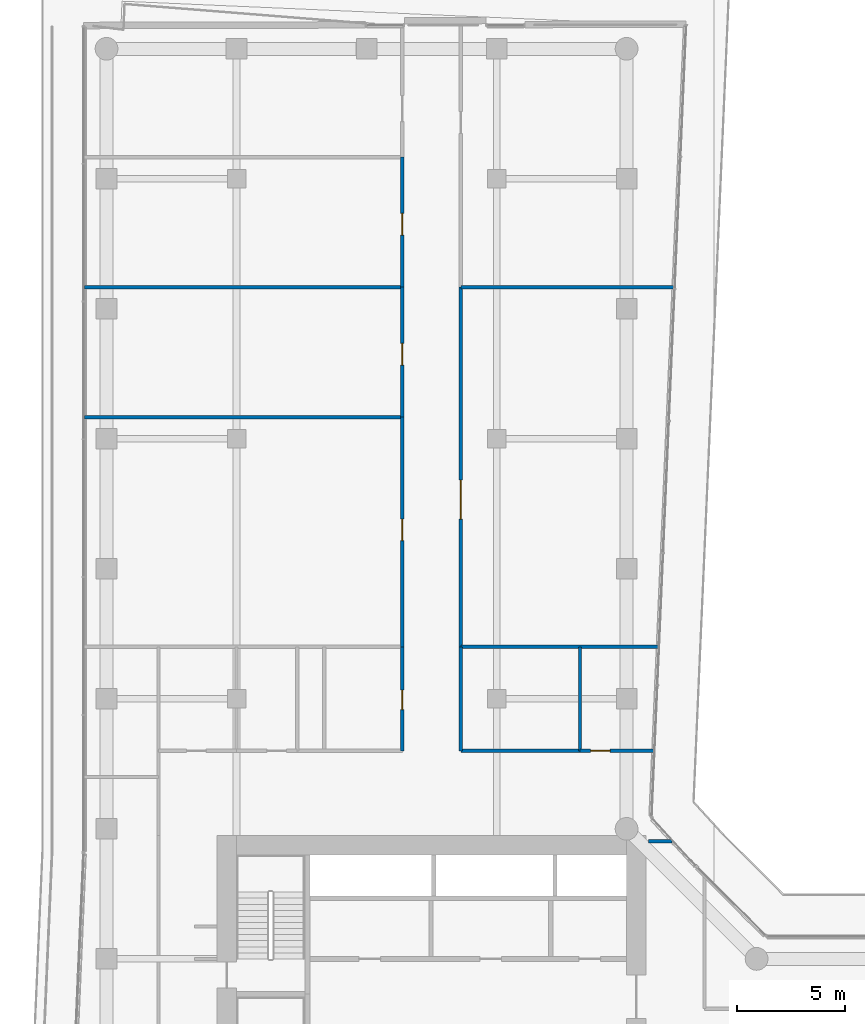
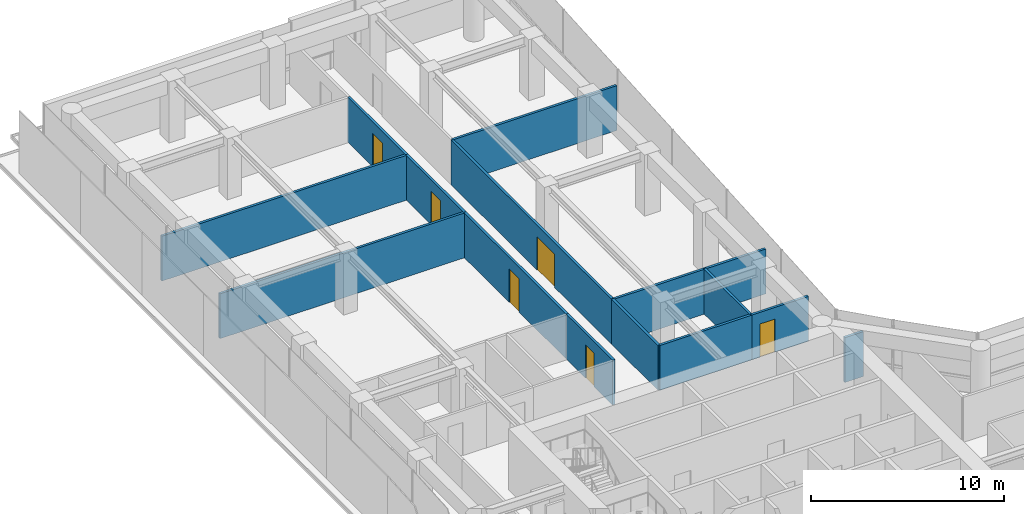
# One storey, part 25 of 29: 14 walls, 6 doors, 6 openings.
"""IFC4 building model written with IfcOpenShell, lengths in metres."""

import ifcopenshell
import ifcopenshell.guid

model = None  # the IFC model being written
_history = None  # IfcOwnerHistory: only IFC2X3 demands one
_inside = {}  # id of a spatial element -> (the spatial element, [elements in it])
_under = {}  # id of a project, library or spatial element -> (it, [spatial elements below it])
_declared = {}  # id of a project -> (the project, [libraries it declares])
_typed = {}  # id of a type object -> (the type object, [elements of that type])
_made_of = {}  # id of a material, layer set ... -> (it, [elements and type objects made of it])


def new_model(schema):
    """Start an empty IFC model of exactly this schema.

    Asked for "IFC4X3", IfcOpenShell would pick the latest addendum, in which some entities
    have other attributes; the version numbers below select the first issue.
    IFC2X3 requires an IfcOwnerHistory on every rooted entity: one is made here for all.
    """
    global model, _history
    if schema == "IFC4X3":
        model = ifcopenshell.file(schema_version=(4, 3, 0, 0))
    else:
        model = ifcopenshell.file(schema=schema)
    _inside.clear()
    _under.clear()
    _declared.clear()
    _typed.clear()
    _made_of.clear()
    _history = None
    if model.schema == "IFC2X3":
        org = make("IfcOrganization", Name="unknown")
        user = make(
            "IfcPersonAndOrganization",
            ThePerson=make("IfcPerson", FamilyName="unknown"),
            TheOrganization=org,
        )
        app = make(
            "IfcApplication",
            ApplicationDeveloper=org,
            Version="unknown",
            ApplicationFullName="unknown",
            ApplicationIdentifier="unknown",
        )
        _history = make(
            "IfcOwnerHistory",
            OwningUser=user,
            OwningApplication=app,
            ChangeAction="ADDED",
            CreationDate=0,
        )
    return model


def make(cls, **values):
    """One entity of the class cls with the attributes given. An attribute that is None is left unset."""
    return model.create_entity(
        cls, **{name: value for name, value in values.items() if value is not None}
    )


def rooted(cls, **values):
    """An entity with a GlobalId (a new one), such as an element, a storey or a relation."""
    return make(cls, GlobalId=ifcopenshell.guid.new(), OwnerHistory=_history, **values)


def si_unit(unit_type, name, prefix=None):
    """IfcSIUnit, for example si_unit("LENGTHUNIT", "METRE", prefix="MILLI")."""
    return make("IfcSIUnit", UnitType=unit_type, Prefix=prefix, Name=name)


def assignment(units):
    """IfcUnitAssignment: the units of a project."""
    return None if units is None else make("IfcUnitAssignment", Units=units)


def point(xyz):
    """IfcCartesianPoint."""
    return None if xyz is None else make("IfcCartesianPoint", Coordinates=xyz)


def direction(xyz):
    """IfcDirection."""
    return None if xyz is None else make("IfcDirection", DirectionRatios=xyz)


def frame(location, z_axis=None, x_axis=None):
    """IfcAxis2Placement3D, a coordinate frame: its origin and axes. An axis left out is left unset."""
    return make(
        "IfcAxis2Placement3D",
        Location=point(location),
        Axis=direction(z_axis),
        RefDirection=direction(x_axis),
    )


def frame_2d(location, x_axis=None):
    """IfcAxis2Placement2D, a coordinate frame in the plane: its origin and x axis."""
    return make(
        "IfcAxis2Placement2D", Location=point(location), RefDirection=direction(x_axis)
    )


def origin():
    """The frame at (0, 0, 0) with its axes left unset."""
    return frame((0.0, 0.0, 0.0))


def place(relative_to, where):
    """IfcLocalPlacement: puts the frame where relative to a parent placement (None: the world)."""
    return make(
        "IfcLocalPlacement", PlacementRelTo=relative_to, RelativePlacement=where
    )


def context(
    kind, dimensions, precision=None, world=None, true_north=None, identifier=None
):
    """IfcGeometricRepresentationContext, for example the 3D "Model" context."""
    return make(
        "IfcGeometricRepresentationContext",
        ContextIdentifier=identifier,
        ContextType=kind,
        CoordinateSpaceDimension=dimensions,
        Precision=precision,
        WorldCoordinateSystem=world,
        TrueNorth=true_north,
    )


def subcontext(parent, identifier, kind, view, scale=None):
    """IfcGeometricRepresentationSubContext, for example "Body" below "Model"."""
    return make(
        "IfcGeometricRepresentationSubContext",
        ContextIdentifier=identifier,
        ContextType=kind,
        ParentContext=parent,
        TargetScale=scale,
        TargetView=view,
    )


def project(units=None, contexts=None):
    """IfcProject with its units and contexts."""
    return rooted(
        "IfcProject",
        Name="project",
        RepresentationContexts=contexts,
        UnitsInContext=assignment(units),
    )


def spatial(cls, under=None, at=None, **own):
    """A site, building, storey or space (cls), placed at a placement, below another one or the project."""
    s = rooted(cls, ObjectPlacement=at, **own)
    if under is not None:
        _under.setdefault(under.id(), (under, []))[1].append(s)
    return s


def profile(cls, at=None, kind="AREA", **sizes):
    """A parametric profile (cls). Its sizes go by their IFC names, for example OverallWidth=200.0."""
    return make(cls, ProfileType=kind, Position=at, **sizes)


def rectangle(**sizes):
    """IfcRectangleProfileDef."""
    return profile("IfcRectangleProfileDef", **sizes)


def extrude(swept, where, along, depth):
    """IfcExtrudedAreaSolid: the profile swept, set in the frame where, extruded along a direction by depth."""
    return make(
        "IfcExtrudedAreaSolid",
        SweptArea=swept,
        Position=where,
        ExtrudedDirection=direction(along),
        Depth=depth,
    )


def shape(context_of_items, identifier, shape_type, items):
    """IfcShapeRepresentation: the items that make up one representation, for example the "Body"."""
    return make(
        "IfcShapeRepresentation",
        ContextOfItems=context_of_items,
        RepresentationIdentifier=identifier,
        RepresentationType=shape_type,
        Items=items,
    )


def material(Name=None, Category=None):
    """IfcMaterial."""
    return make("IfcMaterial", Name=Name, Category=Category)


def layer(
    of_material, thickness, ventilated=None, Name=None, Category=None, Priority=None
):
    """IfcMaterialLayer: one layer of a wall or slab, of a material (None: an air gap)."""
    return make(
        "IfcMaterialLayer",
        Material=of_material,
        LayerThickness=thickness,
        IsVentilated=ventilated,
        Name=Name,
        Category=Category,
        Priority=Priority,
    )


def layer_set(layers, Name=None):
    """IfcMaterialLayerSet."""
    return make("IfcMaterialLayerSet", MaterialLayers=layers, LayerSetName=Name)


def made_of(thing, what):
    """Note that an element or type object is made of a material, layer set ...; save() writes the relation."""
    if what is not None:
        _made_of.setdefault(what.id(), (what, []))[1].append(thing)
    return thing


def type_object(cls, material=None, **own):
    """A type object (cls), such as IfcWallType, which elements share."""
    return made_of(rooted(cls, **own), material)


def element(
    cls,
    number,
    at=None,
    inside=None,
    cuts=None,
    type_object=None,
    material=None,
    context=None,
    identifier="Body",
    shape_type=None,
    held_by="IfcProductDefinitionShape",
    body=None,
    shapes=None,
    **own,
):
    """One element of the class cls, such as IfcWall. Its Tag is "e" and its number.

    at: its placement. inside: the storey or other place that contains it. cuts: it is an
    opening in that element (IfcRelVoidsElement). A single representation is given by context,
    identifier, shape_type and body (its items); several are given by shapes. held_by: the class
    of the entity that holds the representations. save() writes the other relations.
    """
    e = rooted(cls, Tag="e%d" % number, ObjectPlacement=at, **own)
    if body is not None:
        shapes = [shape(context, identifier, shape_type, body)]
    if shapes is not None:
        e.Representation = make(held_by, Representations=shapes)
    if inside is not None:
        _inside.setdefault(inside.id(), (inside, []))[1].append(e)
    if cuts is not None:
        rooted(
            "IfcRelVoidsElement", RelatingBuildingElement=cuts, RelatedOpeningElement=e
        )
    if type_object is not None:
        _typed.setdefault(type_object.id(), (type_object, []))[1].append(e)
    return made_of(e, material)


def fill(opening, filler):
    """IfcRelFillsElement: the door or window that sits in an opening."""
    return rooted(
        "IfcRelFillsElement",
        RelatingOpeningElement=opening,
        RelatedBuildingElement=filler,
    )


def aggregate(whole, parts):
    """IfcRelAggregates: a whole, such as a stair, and the parts it consists of."""
    return rooted("IfcRelAggregates", RelatingObject=whole, RelatedObjects=parts)


def save(model, path):
    """Write the relations noted so far, then the file.

    IfcRelAggregates (storeys below a building ...), IfcRelContainedInSpatialStructure (elements
    in a storey), IfcRelDefinesByType, IfcRelAssociatesMaterial and IfcRelDeclares: one each for
    every whole, place, type object, material and project.
    """
    for whole, parts in _under.values():
        aggregate(whole, parts)
    for where, things in _inside.values():
        rooted(
            "IfcRelContainedInSpatialStructure",
            RelatedElements=things,
            RelatingStructure=where,
        )
    for kind, things in _typed.values():
        rooted("IfcRelDefinesByType", RelatedObjects=things, RelatingType=kind)
    for what, things in _made_of.values():
        rooted("IfcRelAssociatesMaterial", RelatedObjects=things, RelatingMaterial=what)
    for by, libraries in _declared.values():
        rooted("IfcRelDeclares", RelatingContext=by, RelatedDefinitions=libraries)
    model.write(path)


model = new_model("IFC4")

# Units and contexts
model_context = context("Model", 3, precision=1e-05, world=origin(), true_north=direction((0.0, 1.0)))
body_context = subcontext(model_context, "Body", "Model", "MODEL_VIEW")
ifc_project = project(units=[si_unit("LENGTHUNIT", "METRE"), si_unit("AREAUNIT", "SQUARE_METRE"), si_unit("VOLUMEUNIT", "CUBIC_METRE"), si_unit("PLANEANGLEUNIT", "RADIAN"), si_unit("MASSUNIT", "GRAM", prefix="KILO")], contexts=[model_context])

# Site, building, storey
site_placement = place(None, origin())
site = spatial("IfcSite", under=ifc_project, at=site_placement, CompositionType="ELEMENT")
building_placement = place(site_placement, origin())
building = spatial("IfcBuilding", under=site, at=building_placement, Name="Welwitschia Terrace Campus", CompositionType="ELEMENT")
storey_placement = place(building_placement, frame((0.0, 0.0, 41.60009765625)))
storey = spatial("IfcBuildingStorey", under=building, at=storey_placement, Name="L09", CompositionType="ELEMENT", Elevation=41.60009765625)

# Walls
ifc_material_1 = material(Name="Gypsum board on steel studs", Category="steel")
ifc_layer = layer(ifc_material_1, 0.14990234375)
ifc_layer_set = layer_set([ifc_layer], Name="Gypsum board on steel studs")
wall_type = type_object("IfcWallType", Name="Corridor partition 150 EI 30", PredefinedType="PARTITIONING", material=ifc_layer_set)
for number, where, z_axis, x_axis, name in (
    (1, (-1.010009765625, 45.0, 0.0), (0.0, 0.0, 1.0), (1.0, 0.0, 0.0), "Partition"),
    (2, (-1.010009765625, 51.0, 0.0), (0.0, 0.0, 1.0), (1.0, 0.0, 0.0), "Partition"),
):
    element("IfcWall", number, at=place(storey_placement, frame(where, z_axis=z_axis, x_axis=x_axis)), inside=storey, type_object=wall_type, Name=name, PredefinedType="PARTITIONING", context=body_context, shape_type="SweptSolid", body=[
        extrude(rectangle(XDim=14.659912109375, YDim=0.14990234375, at=frame_2d((7.330078125, 0.0))), origin(), (0.0, 0.0, 1.0), 2.829833984375),
    ])

# Wall, opening, door
wall_1_placement = place(storey_placement, frame((13.64990234375, 29.60009765625, 0.0), z_axis=(0.0, 0.0, 1.0), x_axis=(0.0, 1.0, 0.0)))
wall_1 = element("IfcWall", 3, at=wall_1_placement, inside=storey, type_object=wall_type, Name="Partition", PredefinedType="PARTITIONING", context=body_context, shape_type="SweptSolid", body=[
    extrude(rectangle(XDim=4.7998046875, YDim=0.14990234375, at=frame_2d((2.39990234375, 0.0))), origin(), (0.0, 0.0, 1.0), 2.829833984375),
])
opening_1_placement = place(wall_1_placement, frame((1.89990234375, 0.0, 0.0)))
opening_1 = element("IfcOpeningElement", 4, at=opening_1_placement, cuts=wall_1, Name="Opening DI09", PredefinedType="OPENING", context=body_context, shape_type="SweptSolid", body=[
    extrude(rectangle(XDim=0.89990234375, YDim=2.10009765625, at=frame_2d((0.449951171875, 1.050048828125))), frame((0.0, 0.0849609375, 0.0), z_axis=(0.0, -1.0, 0.0), x_axis=(1.0, 0.0, 0.0)), (0.0, 0.0, 1.0), 0.169921875),
])
ifc_material_2 = material(Name="Timber veneered door", Category="wood")
door_type_1 = type_object("IfcDoorType", Name="Interior door DI09", OperationType="NOTDEFINED", PredefinedType="DOOR", material=ifc_material_2)
door_1_placement = place(opening_1_placement, origin())
door_1 = element("IfcDoor", 5, at=door_1_placement, inside=storey, type_object=door_type_1, Name="Door L09 212", OperationType="SINGLE_SWING_LEFT", OverallHeight=2.10009765625, OverallWidth=0.89990234375, PredefinedType="DOOR", context=body_context, shape_type="SweptSolid", body=[
    extrude(rectangle(XDim=0.89990234375, YDim=2.10009765625, at=frame_2d((0.449951171875, 1.050048828125))), frame((0.0, 0.02490234375, 0.0), z_axis=(0.0, -1.0, 0.0), x_axis=(1.0, 0.0, 0.0)), (0.0, 0.0, 1.0), 0.050048828125),
])
fill(opening_1, door_1)

wall_2_placement = place(storey_placement, frame((13.64990234375, 34.39990234375, 0.0), z_axis=(0.0, 0.0, 1.0), x_axis=(0.0, 1.0, 0.0)))
wall_2 = element("IfcWall", 6, at=wall_2_placement, inside=storey, type_object=wall_type, Name="Partition", PredefinedType="PARTITIONING", context=body_context, shape_type="SweptSolid", body=[
    extrude(rectangle(XDim=10.60009765625, YDim=0.14990234375, at=frame_2d((5.300048828125, 0.0))), origin(), (0.0, 0.0, 1.0), 2.829833984375),
])
opening_2_placement = place(wall_2_placement, frame((4.89990234375, 0.0, 0.0)))
opening_2 = element("IfcOpeningElement", 7, at=opening_2_placement, cuts=wall_2, Name="Opening DI10", PredefinedType="OPENING", context=body_context, shape_type="SweptSolid", body=[
    extrude(rectangle(XDim=1.0, YDim=2.10009765625, at=frame_2d((0.5, 1.050048828125))), frame((0.0, 0.0849609375, 0.0), z_axis=(0.0, -1.0, 0.0), x_axis=(1.0, 0.0, 0.0)), (0.0, 0.0, 1.0), 0.169921875),
])
ifc_material_3 = material(Name="Timber veneered door", Category="wood")
door_type_2 = type_object("IfcDoorType", Name="Interior door DI10", OperationType="NOTDEFINED", PredefinedType="DOOR", material=ifc_material_3)
door_2_placement = place(opening_2_placement, origin())
door_2 = element("IfcDoor", 8, at=door_2_placement, inside=storey, type_object=door_type_2, Name="Door L09 213", OperationType="SINGLE_SWING_RIGHT", OverallHeight=2.10009765625, OverallWidth=1.0, PredefinedType="DOOR", context=body_context, shape_type="SweptSolid", body=[
    extrude(rectangle(XDim=1.0, YDim=2.10009765625, at=frame_2d((0.5, 1.050048828125))), frame((0.0, 0.02490234375, 0.0), z_axis=(0.0, -1.0, 0.0), x_axis=(1.0, 0.0, 0.0)), (0.0, 0.0, 1.0), 0.050048828125),
])
fill(opening_2, door_2)

wall_3_placement = place(storey_placement, frame((13.64990234375, 45.0, 0.0), z_axis=(0.0, 0.0, 1.0), x_axis=(0.0, 1.0, 0.0)))
wall_3 = element("IfcWall", 9, at=wall_3_placement, inside=storey, type_object=wall_type, Name="Partition", PredefinedType="PARTITIONING", context=body_context, shape_type="SweptSolid", body=[
    extrude(rectangle(XDim=6.0, YDim=0.14990234375, at=frame_2d((3.0, 0.0))), origin(), (0.0, 0.0, 1.0), 2.829833984375),
])
opening_3_placement = place(wall_3_placement, frame((2.39990234375, 0.0, 0.0)))
opening_3 = element("IfcOpeningElement", 10, at=opening_3_placement, cuts=wall_3, Name="Opening DI10", PredefinedType="OPENING", context=body_context, shape_type="SweptSolid", body=[
    extrude(rectangle(XDim=1.0, YDim=2.10009765625, at=frame_2d((0.5, 1.050048828125))), frame((0.0, 0.0849609375, 0.0), z_axis=(0.0, -1.0, 0.0), x_axis=(1.0, 0.0, 0.0)), (0.0, 0.0, 1.0), 0.169921875),
])
door_3_placement = place(opening_3_placement, origin())
door_3 = element("IfcDoor", 11, at=door_3_placement, inside=storey, type_object=door_type_2, Name="Door L09 214", OperationType="SINGLE_SWING_LEFT", OverallHeight=2.10009765625, OverallWidth=1.0, PredefinedType="DOOR", context=body_context, shape_type="SweptSolid", body=[
    extrude(rectangle(XDim=1.0, YDim=2.10009765625, at=frame_2d((0.5, 1.050048828125))), frame((0.0, 0.02490234375, 0.0), z_axis=(0.0, -1.0, 0.0), x_axis=(1.0, 0.0, 0.0)), (0.0, 0.0, 1.0), 0.050048828125),
])
fill(opening_3, door_3)

wall_4_placement = place(storey_placement, frame((13.64990234375, 51.0, 0.0), z_axis=(0.0, 0.0, 1.0), x_axis=(0.0, 1.0, 0.0)))
wall_4 = element("IfcWall", 12, at=wall_4_placement, inside=storey, type_object=wall_type, Name="Partition", PredefinedType="PARTITIONING", context=body_context, shape_type="SweptSolid", body=[
    extrude(rectangle(XDim=6.0, YDim=0.14990234375, at=frame_2d((3.0, 0.0))), origin(), (0.0, 0.0, 1.0), 2.829833984375),
])
opening_4_placement = place(wall_4_placement, frame((2.39990234375, 0.0, 0.0)))
opening_4 = element("IfcOpeningElement", 13, at=opening_4_placement, cuts=wall_4, Name="Opening DI10", PredefinedType="OPENING", context=body_context, shape_type="SweptSolid", body=[
    extrude(rectangle(XDim=1.0, YDim=2.10009765625, at=frame_2d((0.5, 1.050048828125))), frame((0.0, 0.0849609375, 0.0), z_axis=(0.0, -1.0, 0.0), x_axis=(1.0, 0.0, 0.0)), (0.0, 0.0, 1.0), 0.169921875),
])
door_4_placement = place(opening_4_placement, origin())
door_4 = element("IfcDoor", 14, at=door_4_placement, inside=storey, type_object=door_type_2, Name="Door L09 215", OperationType="SINGLE_SWING_RIGHT", OverallHeight=2.10009765625, OverallWidth=1.0, PredefinedType="DOOR", context=body_context, shape_type="SweptSolid", body=[
    extrude(rectangle(XDim=1.0, YDim=2.10009765625, at=frame_2d((0.5, 1.050048828125))), frame((0.0, 0.02490234375, 0.0), z_axis=(0.0, -1.0, 0.0), x_axis=(1.0, 0.0, 0.0)), (0.0, 0.0, 1.0), 0.050048828125),
])
fill(opening_4, door_4)

# Walls
wall_5_placement = place(storey_placement, frame((16.35009765625, 29.60009765625, 0.0), z_axis=(0.0, 0.0, 1.0), x_axis=(0.0, 1.0, 0.0)))
element("IfcWall", 15, at=wall_5_placement, inside=storey, type_object=wall_type, Name="Partition", PredefinedType="PARTITIONING", context=body_context, shape_type="SweptSolid", body=[
    extrude(rectangle(XDim=4.7998046875, YDim=0.14990234375, at=frame_2d((2.39990234375, 0.0))), origin(), (0.0, 0.0, 1.0), 2.829833984375),
])
wall_6_placement = place(storey_placement, frame((16.35009765625, 29.60009765625, 0.0), z_axis=(0.0, 0.0, 1.0), x_axis=(1.0, 0.0, 0.0)))
element("IfcWall", 16, at=wall_6_placement, inside=storey, type_object=wall_type, Name="Partition", PredefinedType="PARTITIONING", context=body_context, shape_type="SweptSolid", body=[
    extrude(rectangle(XDim=5.5, YDim=0.14990234375, at=frame_2d((2.75, 0.0))), origin(), (0.0, 0.0, 1.0), 2.829833984375),
])

# Wall, opening, door
wall_7_placement = place(storey_placement, frame((16.35009765625, 34.39990234375, 0.0), z_axis=(0.0, 0.0, 1.0), x_axis=(0.0, 1.0, 0.0)))
wall_7 = element("IfcWall", 17, at=wall_7_placement, inside=storey, type_object=wall_type, Name="Partition", PredefinedType="PARTITIONING", context=body_context, shape_type="SweptSolid", body=[
    extrude(rectangle(XDim=16.60009765625, YDim=0.14990234375, at=frame_2d((8.300048828125, 0.0))), origin(), (0.0, 0.0, 1.0), 2.829833984375),
])
opening_5_placement = place(wall_7_placement, frame((5.89990234375, 0.0, 0.0)))
opening_5 = element("IfcOpeningElement", 18, at=opening_5_placement, cuts=wall_7, Name="Opening DI18", PredefinedType="OPENING", context=body_context, shape_type="SweptSolid", body=[
    extrude(rectangle(XDim=1.800048828125, YDim=2.10009765625, at=frame_2d((0.89990234375, 1.050048828125))), frame((0.0, 0.0849609375, 0.0), z_axis=(0.0, -1.0, 0.0), x_axis=(1.0, 0.0, 0.0)), (0.0, 0.0, 1.0), 0.169921875),
])
ifc_material_4 = material(Name="Timber veneered door", Category="wood")
door_type_3 = type_object("IfcDoorType", Name="Interior door DI18", OperationType="DOUBLE_DOOR_SINGLE_SWING", PredefinedType="DOOR", material=ifc_material_4)
door_5_placement = place(opening_5_placement, origin())
door_5 = element("IfcDoor", 19, at=door_5_placement, inside=storey, type_object=door_type_3, Name="Door L09 217", OperationType="SINGLE_SWING_LEFT", OverallHeight=2.10009765625, OverallWidth=1.800048828125, PredefinedType="DOOR", context=body_context, shape_type="SweptSolid", body=[
    extrude(rectangle(XDim=1.800048828125, YDim=2.10009765625, at=frame_2d((0.89990234375, 1.050048828125))), frame((0.0, 0.02490234375, 0.0), z_axis=(0.0, -1.0, 0.0), x_axis=(1.0, 0.0, 0.0)), (0.0, 0.0, 1.0), 0.050048828125),
])
fill(opening_5, door_5)

# Walls
wall_8_placement = place(storey_placement, frame((16.35009765625, 34.39990234375, 0.0), z_axis=(0.0, 0.0, 1.0), x_axis=(1.0, 0.0, 0.0)))
element("IfcWall", 20, at=wall_8_placement, inside=storey, type_object=wall_type, Name="Partition", PredefinedType="PARTITIONING", context=body_context, shape_type="SweptSolid", body=[
    extrude(rectangle(XDim=9.099853515625, YDim=0.14990234375, at=frame_2d((4.5498046875, 0.0))), origin(), (0.0, 0.0, 1.0), 2.829833984375),
])
wall_9_placement = place(storey_placement, frame((16.35009765625, 51.0, 0.0), z_axis=(0.0, 0.0, 1.0), x_axis=(1.0, 0.0, 0.0)))
element("IfcWall", 21, at=wall_9_placement, inside=storey, type_object=wall_type, Name="Partition", PredefinedType="PARTITIONING", context=body_context, shape_type="SweptSolid", body=[
    extrude(rectangle(XDim=9.8037109375, YDim=0.14990234375, at=frame_2d((4.90185546875, 0.0))), origin(), (0.0, 0.0, 1.0), 2.829833984375),
])
wall_10_placement = place(storey_placement, frame((21.85009765625, 29.60009765625, 0.0), z_axis=(0.0, 0.0, 1.0), x_axis=(0.0, 1.0, 0.0)))
element("IfcWall", 22, at=wall_10_placement, inside=storey, type_object=wall_type, Name="Partition", PredefinedType="PARTITIONING", context=body_context, shape_type="SweptSolid", body=[
    extrude(rectangle(XDim=4.7998046875, YDim=0.14990234375, at=frame_2d((2.39990234375, 0.0))), origin(), (0.0, 0.0, 1.0), 2.829833984375),
])

# Wall, opening, door
wall_11_placement = place(storey_placement, frame((21.85009765625, 29.60009765625, 0.0), z_axis=(0.0, 0.0, 1.0), x_axis=(1.0, 0.0, 0.0)))
wall_11 = element("IfcWall", 23, at=wall_11_placement, inside=storey, type_object=wall_type, Name="Partition", PredefinedType="PARTITIONING", context=body_context, shape_type="SweptSolid", body=[
    extrude(rectangle(XDim=3.389892578125, YDim=0.14990234375, at=frame_2d((1.69482421875, 0.0))), origin(), (0.0, 0.0, 1.0), 2.829833984375),
])
opening_6_placement = place(wall_11_placement, frame((0.489990234375, 0.0, 0.0)))
opening_6 = element("IfcOpeningElement", 24, at=opening_6_placement, cuts=wall_11, Name="Opening DI09", PredefinedType="OPENING", context=body_context, shape_type="SweptSolid", body=[
    extrude(rectangle(XDim=0.89990234375, YDim=2.10009765625, at=frame_2d((0.449951171875, 1.050048828125))), frame((0.0, 0.0849609375, 0.0), z_axis=(0.0, -1.0, 0.0), x_axis=(1.0, 0.0, 0.0)), (0.0, 0.0, 1.0), 0.169921875),
])
door_6_placement = place(opening_6_placement, origin())
door_6 = element("IfcDoor", 25, at=door_6_placement, inside=storey, type_object=door_type_1, Name="Door L09 219", OperationType="SINGLE_SWING_RIGHT", OverallHeight=2.10009765625, OverallWidth=0.89990234375, PredefinedType="DOOR", context=body_context, shape_type="SweptSolid", body=[
    extrude(rectangle(XDim=0.89990234375, YDim=2.10009765625, at=frame_2d((0.449951171875, 1.050048828125))), frame((0.0, 0.02490234375, 0.0), z_axis=(0.0, -1.0, 0.0), x_axis=(1.0, 0.0, 0.0)), (0.0, 0.0, 1.0), 0.050048828125),
])
fill(opening_6, door_6)

# Wall
wall_12_placement = place(storey_placement, frame((25.0, 25.429931640625, 0.0), z_axis=(0.0, 0.0, 1.0), x_axis=(1.0, 0.0, 0.0)))
element("IfcWall", 26, at=wall_12_placement, inside=storey, type_object=wall_type, Name="Partition", PredefinedType="PARTITIONING", context=body_context, shape_type="SweptSolid", body=[
    extrude(rectangle(XDim=1.10009765625, YDim=0.14990234375, at=frame_2d((0.550048828125, 0.0))), origin(), (0.0, 0.0, 1.0), 2.829833984375),
])

save(model, "model.ifc")
